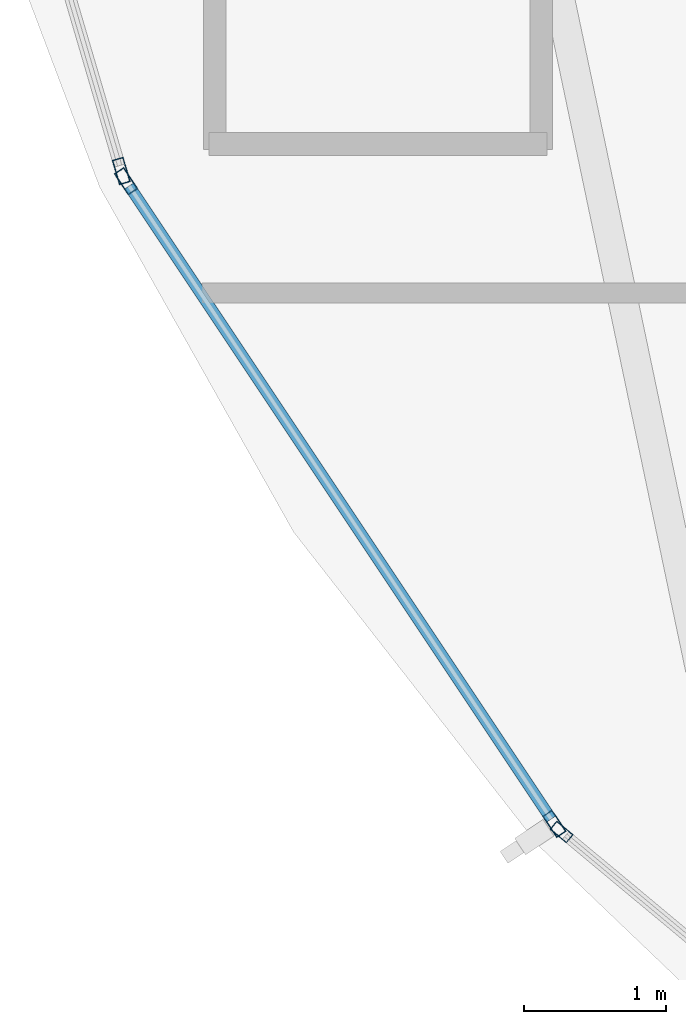
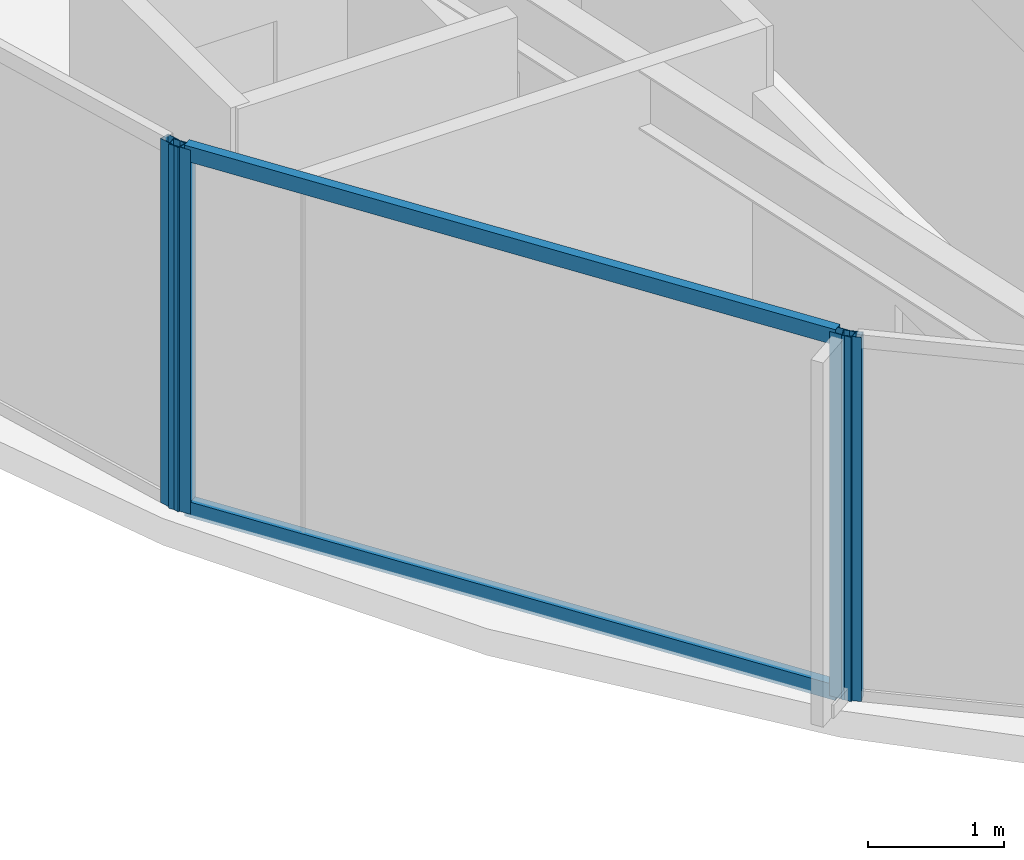
# One storey, part 3 of 31: 6 members, 3 elements without a shape of their own.
"""IFC4 building model written with IfcOpenShell, lengths in metres."""

from ifc_helpers import new_model, si_unit, direction, frame, origin, origin_2d, place, context, subcontext, project, spatial, hollow_rectangle, extrude, material, layer, layer_set, material_profile, profile_set, type_object, element, aggregate, save


model = new_model("IFC4")

# Units and contexts
model_context = context("Model", 3, precision=1e-05, world=origin(), true_north=direction((0.0, 1.0)))
body_context = subcontext(model_context, "Body", "Model", "MODEL_VIEW")
ifc_project = project(units=[si_unit("LENGTHUNIT", "METRE"), si_unit("AREAUNIT", "SQUARE_METRE"), si_unit("VOLUMEUNIT", "CUBIC_METRE"), si_unit("PLANEANGLEUNIT", "RADIAN"), si_unit("MASSUNIT", "GRAM", prefix="KILO")], contexts=[model_context])

# Site, building, storey
site_placement = place(None, origin())
site = spatial("IfcSite", under=ifc_project, at=site_placement, CompositionType="ELEMENT")
building_placement = place(site_placement, origin())
building = spatial("IfcBuilding", under=site, at=building_placement, Name="Kazevale Care Tower and Concert Hall", CompositionType="ELEMENT")
storey_placement = place(building_placement, frame((0.0, 0.0, 187.199951171875)))
storey = spatial("IfcBuildingStorey", under=building, at=storey_placement, Name="L49", CompositionType="ELEMENT", Elevation=187.199951171875)

# Curtain wall, members
ifc_material_1 = material(Name="Aluminium 6063-T6 and Low-E Glass", Category="aluminium")
ifc_layer_1 = layer(ifc_material_1, 0.179931640625)
ifc_layer_set_1 = layer_set([ifc_layer_1], Name="Aluminium 6063-T6 and Low-E Glass")
curtain_wall_type_1 = type_object("IfcCurtainWallType", Name="Waist & Upper Residential Curtain Wall CW-4", PredefinedType="NOTDEFINED", material=ifc_layer_set_1)
curtain_wall_1_placement = place(storey_placement, origin())
curtain_wall_1 = element("IfcCurtainWall", 1, at=curtain_wall_1_placement, inside=storey, type_object=curtain_wall_type_1, Name="cw:L49:f11", PredefinedType="NOTDEFINED")
ifc_material_2 = material(Name="Aluminium 6063-T6", Category="aluminium")
ifc_material_profile_1 = material_profile(ifc_material_2, hollow_rectangle(XDim=0.080078125, YDim=0.179931640625, WallThickness=0.0048828125, at=origin_2d()), Name="ALU80x180x5")
ifc_profile_set_1 = profile_set([ifc_material_profile_1], Name="Aluminium 6063-T6")
member_type_1 = type_object("IfcMemberType", Name="CW-4 Mullion ALU80x180x5", PredefinedType="MULLION", material=ifc_profile_set_1)
member_1_placement = place(storey_placement, frame((18.185791015625, 25.26318359375, 0.0), z_axis=(0.0, 0.0, 1.0), x_axis=(-0.832106058512, -0.554616540853, 0.0)))
member_1 = element("IfcMember", 2, at=member_1_placement, type_object=member_type_1, Name="CW-4 mullion 1", PredefinedType="MULLION", context=body_context, shape_type="SweptSolid", body=[
    extrude(hollow_rectangle(XDim=0.080078125, YDim=0.179931640625, WallThickness=0.0048828125, at=origin_2d()), origin(), (0.0, 0.0, 1.0), 3.280029296875),
])
member_2_placement = place(storey_placement, frame((15.170166015625, 29.78759765625, 0.0), z_axis=(0.0, 0.0, 1.0), x_axis=(-0.832106058512, -0.554616540853, 0.0)))
member_2 = element("IfcMember", 3, at=member_2_placement, type_object=member_type_1, Name="CW-4 mullion 2", PredefinedType="MULLION", context=body_context, shape_type="SweptSolid", body=[
    extrude(hollow_rectangle(XDim=0.080078125, YDim=0.179931640625, WallThickness=0.0048828125, at=origin_2d()), origin(), (0.0, 0.0, 1.0), 3.280029296875),
])

# Curtain wall, member
curtain_wall_2_placement = place(storey_placement, origin())
curtain_wall_2 = element("IfcCurtainWall", 4, at=curtain_wall_2_placement, inside=storey, type_object=curtain_wall_type_1, Name="cw:L49:f12", PredefinedType="NOTDEFINED")
member_3_placement = place(storey_placement, frame((15.13671875, 29.859375, 0.0), z_axis=(0.0, 0.0, 1.0), x_axis=(-0.959385539982, -0.282098184457, 0.0)))
member_3 = element("IfcMember", 5, at=member_3_placement, type_object=member_type_1, Name="CW-4 mullion 1", PredefinedType="MULLION", context=body_context, shape_type="SweptSolid", body=[
    extrude(hollow_rectangle(XDim=0.080078125, YDim=0.179931640625, WallThickness=0.0048828125, at=origin_2d()), origin(), (0.0, 0.0, 1.0), 3.280029296875),
])
aggregate(curtain_wall_2, [member_3])

# Member
ifc_material_profile_2 = material_profile(ifc_material_2, hollow_rectangle(XDim=0.080078125, YDim=0.139892578125, WallThickness=0.00390625, at=origin_2d()), Name="ALU80x140x4")
ifc_profile_set_2 = profile_set([ifc_material_profile_2], Name="Aluminium 6063-T6")
member_type_2 = type_object("IfcMemberType", Name="CW-4 Transom ALU80x140x4", PredefinedType="USERDEFINED", material=ifc_profile_set_2)
member_4_placement = place(storey_placement, frame((18.16357421875, 25.296630859375, 0.0400390625), z_axis=(-0.554616059735, 0.832106379187, 0.0), x_axis=(-0.832106379187, -0.554616059735, 0.0)))
member_4 = element("IfcMember", 6, at=member_4_placement, type_object=member_type_2, Name="CW-4 transom 1.1", ObjectType="TRANSOM", PredefinedType="USERDEFINED", context=body_context, shape_type="SweptSolid", body=[
    extrude(hollow_rectangle(XDim=0.080078125, YDim=0.139892578125, WallThickness=0.00390625, at=origin_2d()), origin(), (0.0, 0.0, 1.0), 5.357177734375),
])

member_5_placement = place(storey_placement, frame((18.16357421875, 25.296630859375, 3.239990234375), z_axis=(-0.554616059735, 0.832106379187, 0.0), x_axis=(-0.832106379187, -0.554616059735, 0.0)))
member_5 = element("IfcMember", 7, at=member_5_placement, type_object=member_type_2, Name="CW-4 transom 1.2", ObjectType="TRANSOM", PredefinedType="USERDEFINED", context=body_context, shape_type="SweptSolid", body=[
    extrude(hollow_rectangle(XDim=0.080078125, YDim=0.139892578125, WallThickness=0.00390625, at=origin_2d()), origin(), (0.0, 0.0, 1.0), 5.357177734375),
])

aggregate(curtain_wall_1, [member_1, member_2, member_4, member_5])

# Curtain wall, member
ifc_layer_2 = layer(ifc_material_1, 0.179931640625)
ifc_layer_set_2 = layer_set([ifc_layer_2], Name="Aluminium 6063-T6 and Low-E Glass")
curtain_wall_type_2 = type_object("IfcCurtainWallType", Name="Sheltered Concave Balcony Curtain Wall CW-5", PredefinedType="NOTDEFINED", material=ifc_layer_set_2)
curtain_wall_3_placement = place(storey_placement, origin())
curtain_wall_3 = element("IfcCurtainWall", 8, at=curtain_wall_3_placement, inside=storey, type_object=curtain_wall_type_2, Name="cw:L49:f10", PredefinedType="NOTDEFINED")
ifc_material_profile_3 = material_profile(ifc_material_2, hollow_rectangle(XDim=0.074951171875, YDim=0.14990234375, WallThickness=0.00390625, at=origin_2d()), Name="ALU75x150x4")
ifc_profile_set_3 = profile_set([ifc_material_profile_3], Name="Aluminium 6063-T6")
member_type_3 = type_object("IfcMemberType", Name="CW-5 Mullion ALU75x150x4", PredefinedType="MULLION", material=ifc_profile_set_3)
member_6_placement = place(storey_placement, frame((18.23681640625, 25.2060546875, 0.0), z_axis=(0.0, 0.0, 1.0), x_axis=(-0.639961217204, -0.768407210062, 0.0)))
member_6 = element("IfcMember", 9, at=member_6_placement, type_object=member_type_3, Name="CW-5 mullion 2", PredefinedType="MULLION", context=body_context, shape_type="SweptSolid", body=[
    extrude(hollow_rectangle(XDim=0.074951171875, YDim=0.14990234375, WallThickness=0.00390625, at=origin_2d()), origin(), (0.0, 0.0, 1.0), 3.280029296875),
])
aggregate(curtain_wall_3, [member_6])

save(model, "model.ifc")
